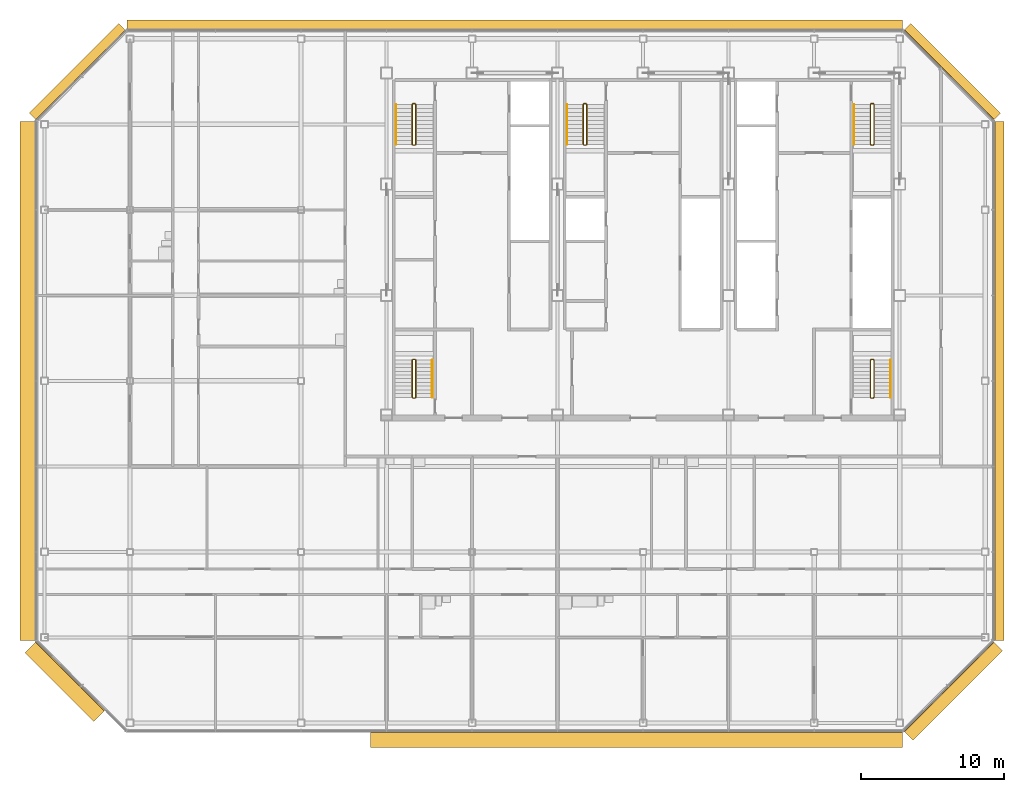
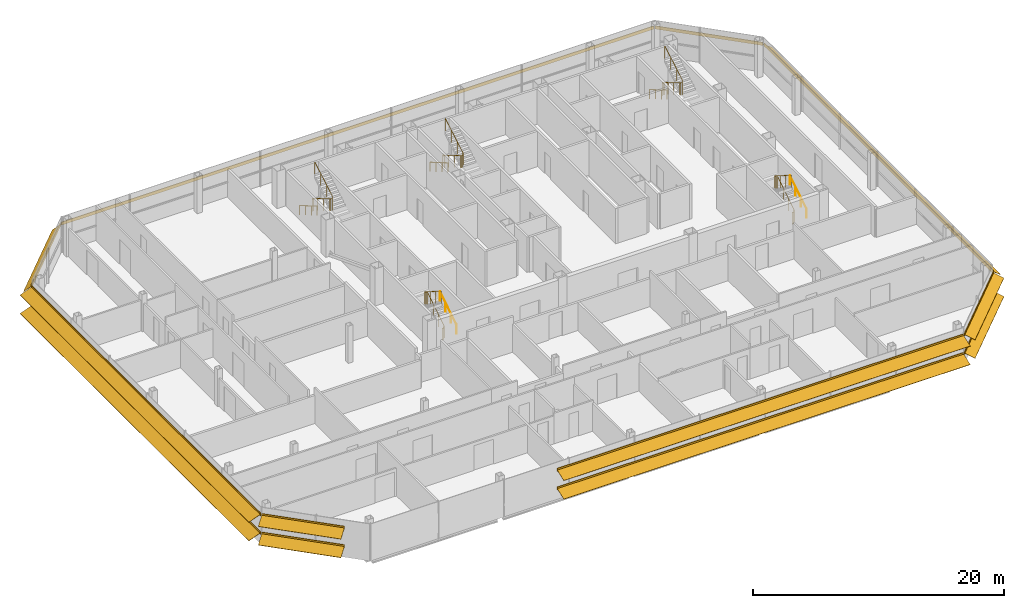
# One storey, part 26 of 27: 10 railings, 8 shading devices.
"""IFC4 building model written with IfcOpenShell, lengths in metres."""

from ifc_helpers import new_model, si_unit, direction, frame, origin, origin_2d, place, context, subcontext, project, spatial, polyline, circle, outline, composite_profile, extrude, material, type_object, element, save


model = new_model("IFC4")

# Units and contexts
model_context = context("Model", 3, precision=1e-05, world=origin(), true_north=direction((0.0, 1.0)))
body_context = subcontext(model_context, "Body", "Model", "MODEL_VIEW")
ifc_project = project(units=[si_unit("LENGTHUNIT", "METRE"), si_unit("AREAUNIT", "SQUARE_METRE"), si_unit("VOLUMEUNIT", "CUBIC_METRE"), si_unit("PLANEANGLEUNIT", "RADIAN"), si_unit("MASSUNIT", "GRAM", prefix="KILO")], contexts=[model_context])

# Site, building, storey
site_placement = place(None, origin())
site = spatial("IfcSite", under=ifc_project, at=site_placement, CompositionType="ELEMENT")
building_placement = place(site_placement, origin())
building = spatial("IfcBuilding", under=site, at=building_placement, Name="Sorahane Residences", CompositionType="ELEMENT")
storey_placement = place(building_placement, frame((0.0, 0.0, 323.199951171875)))
storey = spatial("IfcBuildingStorey", under=building, at=storey_placement, Name="L77", CompositionType="ELEMENT", Elevation=323.199951171875)

# Shading devices
ifc_material_1 = material(Name="Terracotta anodised aluminium", Category="masonry")
shading_device_type_1 = type_object("IfcShadingDeviceType", Name="Louvre sunshade blade E terracotta aluminium 700", PredefinedType="JALOUSIE", material=ifc_material_1)
shading_device_1_placement = place(storey_placement, frame((48.60009765625, 5.801513671875, 2.699951171875), z_axis=(0.0, 1.0, 0.0), x_axis=(-1.0, 0.0, 0.0)))
element("IfcShadingDevice", 1, at=shading_device_1_placement, inside=storey, type_object=shading_device_type_1, Name="Louvre sunshade blade bank E L77 E1", PredefinedType="JALOUSIE", context=body_context, shape_type="SweptSolid", body=[
    extrude(outline(polyline([(-0.719970703125, -0.49365234375), (-0.719970703125, -0.523681640625), (-0.080078125, -0.05859375), (-0.080078125, -0.14990234375), (-0.02001953125, -0.14990234375), (-0.02001953125, -0.014892578125), (-0.02001953125, 0.014892578125), (-0.02001953125, 0.14990234375), (-0.080078125, 0.14990234375), (-0.080078125, -0.028564453125), (-0.719970703125, -0.49365234375)])), origin(), (0.0, 0.0, 1.0), 36.39697265625),
])
ifc_material_2 = material(Name="Terracotta anodised aluminium", Category="masonry")
shading_device_type_2 = type_object("IfcShadingDeviceType", Name="Louvre sunshade blade N terracotta aluminium 700", PredefinedType="JALOUSIE", material=ifc_material_2)
shading_device_2_placement = place(storey_placement, frame((42.198486328125, 48.60009765625, 2.699951171875), z_axis=(-1.0, 0.0, 0.0), x_axis=(0.0, -1.0, 0.0)))
element("IfcShadingDevice", 2, at=shading_device_2_placement, inside=storey, type_object=shading_device_type_2, Name="Louvre sunshade blade bank N L77 N1", PredefinedType="JALOUSIE", context=body_context, shape_type="SweptSolid", body=[
    extrude(outline(polyline([(-0.719970703125, -0.660888671875), (-0.719970703125, -0.69091796875), (-0.080078125, -0.072998046875), (-0.080078125, -0.14990234375), (-0.02001953125, -0.14990234375), (-0.02001953125, -0.014892578125), (-0.02001953125, 0.014892578125), (-0.02001953125, 0.14990234375), (-0.080078125, 0.14990234375), (-0.080078125, -0.04296875), (-0.719970703125, -0.660888671875)])), origin(), (0.0, 0.0, 1.0), 54.39697265625),
])
ifc_material_3 = material(Name="Terracotta anodised aluminium", Category="masonry")
shading_device_type_3 = type_object("IfcShadingDeviceType", Name="Louvre sunshade blade NE terracotta aluminium 700", PredefinedType="JALOUSIE", material=ifc_material_3)
shading_device_3_placement = place(storey_placement, frame((48.564697265625, 42.283935546875, 2.699951171875), z_axis=(-0.707106781187, 0.707106781187, 0.0), x_axis=(-0.707106781187, -0.707106781187, 0.0)))
element("IfcShadingDevice", 3, at=shading_device_3_placement, inside=storey, type_object=shading_device_type_3, Name="Louvre sunshade blade bank NE L77 NE1", PredefinedType="JALOUSIE", context=body_context, shape_type="SweptSolid", body=[
    extrude(outline(polyline([(-0.719970703125, -0.572509765625), (-0.719970703125, -0.602294921875), (-0.080078125, -0.065185546875), (-0.080078125, -0.14990234375), (-0.02001953125, -0.14990234375), (-0.02001953125, -0.014892578125), (-0.02001953125, 0.014892578125), (-0.02001953125, 0.14990234375), (-0.080078125, 0.14990234375), (-0.080078125, -0.035400390625), (-0.719970703125, -0.572509765625)])), origin(), (0.0, 0.0, 1.0), 8.88232421875),
])
ifc_material_4 = material(Name="Terracotta anodised aluminium", Category="masonry")
shading_device_type_4 = type_object("IfcShadingDeviceType", Name="Louvre sunshade blade NW terracotta aluminium 700", PredefinedType="JALOUSIE", material=ifc_material_4)
shading_device_4_placement = place(storey_placement, frame((-12.283935546875, 48.564697265625, 2.699951171875), z_axis=(-0.707106781187, -0.707106781187, 0.0), x_axis=(0.707106781187, -0.707106781187, 0.0)))
element("IfcShadingDevice", 4, at=shading_device_4_placement, inside=storey, type_object=shading_device_type_4, Name="Louvre sunshade blade bank NW L77 NW1", PredefinedType="JALOUSIE", context=body_context, shape_type="SweptSolid", body=[
    extrude(outline(polyline([(-0.719970703125, -0.660888671875), (-0.719970703125, -0.69091796875), (-0.080078125, -0.072998046875), (-0.080078125, -0.14990234375), (-0.02001953125, -0.14990234375), (-0.02001953125, -0.014892578125), (-0.02001953125, 0.014892578125), (-0.02001953125, 0.14990234375), (-0.080078125, 0.14990234375), (-0.080078125, -0.04296875), (-0.719970703125, -0.660888671875)])), origin(), (0.0, 0.0, 1.0), 8.88232421875),
])
ifc_material_5 = material(Name="Terracotta anodised aluminium", Category="masonry")
shading_device_type_5 = type_object("IfcShadingDeviceType", Name="Louvre sunshade blade S terracotta aluminium 1100", PredefinedType="JALOUSIE", material=ifc_material_5)
shading_device_5_placement = place(storey_placement, frame((4.869384765625, -0.60009765625, 0.900146484375), z_axis=(1.0, 0.0, 0.0), x_axis=(0.0, 1.0, 0.0)))
element("IfcShadingDevice", 5, at=shading_device_5_placement, inside=storey, type_object=shading_device_type_5, Name="Louvre sunshade blade bank S L77 S1", PredefinedType="JALOUSIE", context=body_context, shape_type="SweptSolid", body=[
    extrude(composite_profile([outline(polyline([(-1.1201171875, -0.385498046875), (-1.1201171875, -0.415283203125), (-0.080078125, -0.036865234375), (-0.080078125, -0.14990234375), (-0.02001953125, -0.14990234375), (-0.02001953125, -0.014892578125), (-0.02001953125, 0.014892578125), (-0.02001953125, 0.14990234375), (-0.080078125, 0.14990234375), (-0.080078125, -0.0068359375), (-1.1201171875, -0.385498046875)])), outline(polyline([(-1.1201171875, 1.41455078125), (-1.1201171875, 1.384521484375), (-0.080078125, 1.76318359375), (-0.080078125, 1.64990234375), (-0.02001953125, 1.64990234375), (-0.02001953125, 1.784912109375), (-0.02001953125, 1.81494140625), (-0.02001953125, 1.949951171875), (-0.080078125, 1.949951171875), (-0.080078125, 1.793212890625), (-1.1201171875, 1.41455078125)]))]), origin(), (0.0, 0.0, 1.0), 37.3291015625),
])
ifc_material_6 = material(Name="Terracotta anodised aluminium", Category="masonry")
shading_device_type_6 = type_object("IfcShadingDeviceType", Name="Louvre sunshade blade SE terracotta aluminium 900", PredefinedType="JALOUSIE", material=ifc_material_6)
shading_device_6_placement = place(storey_placement, frame((42.283935546875, -0.564697265625, 0.900146484375), z_axis=(0.707106781187, 0.707106781187, 0.0), x_axis=(-0.707106781187, 0.707106781187, 0.0)))
element("IfcShadingDevice", 6, at=shading_device_6_placement, inside=storey, type_object=shading_device_type_6, Name="Louvre sunshade blade bank SE L77 SE1", PredefinedType="JALOUSIE", context=body_context, shape_type="SweptSolid", body=[
    extrude(composite_profile([outline(polyline([(-0.919921875, -0.3486328125), (-0.919921875, -0.378662109375), (-0.080078125, -0.039306640625), (-0.080078125, -0.14990234375), (-0.02001953125, -0.14990234375), (-0.02001953125, -0.014892578125), (-0.02001953125, 0.014892578125), (-0.02001953125, 0.14990234375), (-0.080078125, 0.14990234375), (-0.080078125, -0.00927734375), (-0.919921875, -0.3486328125)])), outline(polyline([(-0.919921875, 1.451416015625), (-0.919921875, 1.42138671875), (-0.080078125, 1.7607421875), (-0.080078125, 1.64990234375), (-0.02001953125, 1.64990234375), (-0.02001953125, 1.784912109375), (-0.02001953125, 1.81494140625), (-0.02001953125, 1.949951171875), (-0.080078125, 1.949951171875), (-0.080078125, 1.790771484375), (-0.919921875, 1.451416015625)]))]), origin(), (0.0, 0.0, 1.0), 8.88232421875),
])
ifc_material_7 = material(Name="Terracotta anodised aluminium", Category="masonry")
shading_device_type_7 = type_object("IfcShadingDeviceType", Name="Louvre sunshade blade SW terracotta aluminium 1100", PredefinedType="JALOUSIE", material=ifc_material_7)
shading_device_7_placement = place(storey_placement, frame((-18.564697265625, 5.716064453125, 0.900146484375), z_axis=(0.707106781187, -0.707106781187, 0.0), x_axis=(0.707106781187, 0.707106781187, 0.0)))
element("IfcShadingDevice", 7, at=shading_device_7_placement, inside=storey, type_object=shading_device_type_7, Name="Louvre sunshade blade bank SW L77 SW1", PredefinedType="JALOUSIE", context=body_context, shape_type="SweptSolid", body=[
    extrude(composite_profile([outline(polyline([(-1.1201171875, -0.385498046875), (-1.1201171875, -0.415283203125), (-0.080078125, -0.036865234375), (-0.080078125, -0.14990234375), (-0.02001953125, -0.14990234375), (-0.02001953125, -0.014892578125), (-0.02001953125, 0.014892578125), (-0.02001953125, 0.14990234375), (-0.080078125, 0.14990234375), (-0.080078125, -0.0068359375), (-1.1201171875, -0.385498046875)])), outline(polyline([(-1.1201171875, 1.41455078125), (-1.1201171875, 1.384521484375), (-0.080078125, 1.76318359375), (-0.080078125, 1.64990234375), (-0.02001953125, 1.64990234375), (-0.02001953125, 1.784912109375), (-0.02001953125, 1.81494140625), (-0.02001953125, 1.949951171875), (-0.080078125, 1.949951171875), (-0.080078125, 1.793212890625), (-1.1201171875, 1.41455078125)]))]), origin(), (0.0, 0.0, 1.0), 6.81103515625),
])
ifc_material_8 = material(Name="Terracotta anodised aluminium", Category="masonry")
shading_device_type_8 = type_object("IfcShadingDeviceType", Name="Louvre sunshade blade W terracotta aluminium 1100", PredefinedType="JALOUSIE", material=ifc_material_8)
shading_device_8_placement = place(storey_placement, frame((-18.60009765625, 42.198486328125, 0.900146484375), z_axis=(0.0, -1.0, 0.0), x_axis=(1.0, 0.0, 0.0)))
element("IfcShadingDevice", 8, at=shading_device_8_placement, inside=storey, type_object=shading_device_type_8, Name="Louvre sunshade blade bank W L77 W1", PredefinedType="JALOUSIE", context=body_context, shape_type="SweptSolid", body=[
    extrude(composite_profile([outline(polyline([(-1.1201171875, -0.385498046875), (-1.1201171875, -0.415283203125), (-0.080078125, -0.036865234375), (-0.080078125, -0.14990234375), (-0.02001953125, -0.14990234375), (-0.02001953125, -0.014892578125), (-0.02001953125, 0.014892578125), (-0.02001953125, 0.14990234375), (-0.080078125, 0.14990234375), (-0.080078125, -0.0068359375), (-1.1201171875, -0.385498046875)])), outline(polyline([(-1.1201171875, 1.41455078125), (-1.1201171875, 1.384521484375), (-0.080078125, 1.76318359375), (-0.080078125, 1.64990234375), (-0.02001953125, 1.64990234375), (-0.02001953125, 1.784912109375), (-0.02001953125, 1.81494140625), (-0.02001953125, 1.949951171875), (-0.080078125, 1.949951171875), (-0.080078125, 1.793212890625), (-1.1201171875, 1.41455078125)]))]), origin(), (0.0, 0.0, 1.0), 36.39697265625),
])

# Railings
ifc_material_9 = material(Name="Steel Q355B", Category="steel")
railing_type_1 = type_object("IfcRailingType", Name="Stair guard 1200 Steel Q355B", PredefinedType="GUARDRAIL", material=ifc_material_9)
railing_1_placement = place(storey_placement, frame((8.0, 43.449951171875, 0.0)))
element("IfcRailing", 9, at=railing_1_placement, inside=storey, type_object=railing_type_1, Name="L77 S1 stair guard 1", PredefinedType="GUARDRAIL", context=body_context, shape_type="SweptSolid", body=[
    extrude(circle(Radius=0.02392578125, at=origin_2d()), frame((0.0, 0.0, 1.17578125), z_axis=(-1.0, 0.0, 0.0), x_axis=(0.0, -1.0, 0.0)), (0.0, 0.0, 1.0), 0.14990234375),
    extrude(circle(Radius=0.02392578125, at=origin_2d()), frame((-0.14990234375, 0.0, 1.17578125), z_axis=(-0.280808744504, -0.280808744504, 0.917765164963), x_axis=(0.707106781187, -0.707106781187, 0.0)), (0.0, 0.0, 1.0), 0.17822265625),
    extrude(circle(Radius=0.02392578125, at=origin_2d()), frame((-0.199951171875, -0.050048828125, 1.33935546875), z_axis=(0.0, -0.863341702679, 0.504619762213), x_axis=(1.0, 0.0, 0.0)), (0.0, 0.0, 1.0), 3.242919921875),
    extrude(circle(Radius=0.02392578125, at=origin_2d()), frame((-0.199951171875, -2.849853515625, 2.97607421875), z_axis=(0.707106781187, -0.707106781187, 0.0), x_axis=(0.707106781187, 0.707106781187, 0.0)), (0.0, 0.0, 1.0), 0.07080078125),
    extrude(circle(Radius=0.02392578125, at=origin_2d()), frame((-0.14990234375, -2.89990234375, 2.97607421875), z_axis=(1.0, 0.0, 0.0), x_axis=(0.0, 1.0, 0.0)), (0.0, 0.0, 1.0), 0.14990234375),
    extrude(circle(Radius=0.02392578125, at=origin_2d()), frame((0.0, -2.89990234375, 2.97607421875), z_axis=(0.280808744504, 0.280808744504, 0.917765164963), x_axis=(-0.707106781187, 0.707106781187, 0.0)), (0.0, 0.0, 1.0), 0.17822265625),
    extrude(circle(Radius=0.02392578125, at=origin_2d()), frame((0.050048828125, -2.849853515625, 3.1396484375), z_axis=(0.0, 0.863341702679, 0.504619762213), x_axis=(-1.0, 0.0, 0.0)), (0.0, 0.0, 1.0), 3.242919921875),
    extrude(circle(Radius=0.02099609375, at=origin_2d()), origin(), (0.0, 0.0, 1.0), 1.15185546875),
    extrude(circle(Radius=0.02099609375, at=origin_2d()), frame((-0.14990234375, 0.0, 0.0)), (0.0, 0.0, 1.0), 1.15185546875),
    extrude(circle(Radius=0.02099609375, at=origin_2d()), frame((-0.199951171875, -0.050048828125, 0.16357421875)), (0.0, 0.0, 1.0), 1.15185546875),
    extrude(circle(Radius=0.02099609375, at=origin_2d()), frame((-0.199951171875, -0.9833984375, 0.708984375)), (0.0, 0.0, 1.0), 1.15185546875),
    extrude(circle(Radius=0.02099609375, at=origin_2d()), frame((-0.199951171875, -1.91650390625, 1.254638671875)), (0.0, 0.0, 1.0), 1.15185546875),
    extrude(circle(Radius=0.02099609375, at=origin_2d()), frame((-0.199951171875, -2.849853515625, 1.800048828125)), (0.0, 0.0, 1.0), 1.15185546875),
    extrude(circle(Radius=0.02099609375, at=origin_2d()), frame((-0.14990234375, -2.89990234375, 1.800048828125)), (0.0, 0.0, 1.0), 1.15185546875),
    extrude(circle(Radius=0.02099609375, at=origin_2d()), frame((0.0, -2.89990234375, 1.800048828125)), (0.0, 0.0, 1.0), 1.15185546875),
    extrude(circle(Radius=0.02099609375, at=origin_2d()), frame((0.050048828125, -2.849853515625, 1.963623046875)), (0.0, 0.0, 1.0), 1.15185546875),
    extrude(circle(Radius=0.02099609375, at=origin_2d()), frame((0.050048828125, -1.91650390625, 2.509033203125)), (0.0, 0.0, 1.0), 1.15185546875),
    extrude(circle(Radius=0.02099609375, at=origin_2d()), frame((0.050048828125, -0.9833984375, 3.0546875)), (0.0, 0.0, 1.0), 1.15185546875),
    extrude(circle(Radius=0.02099609375, at=origin_2d()), frame((0.050048828125, -0.050048828125, 3.60009765625)), (0.0, 0.0, 1.0), 1.15185546875),
])
railing_2_placement = place(storey_placement, frame((40.14990234375, 43.449951171875, 0.0)))
element("IfcRailing", 10, at=railing_2_placement, inside=storey, type_object=railing_type_1, Name="L77 S2 stair guard 1", PredefinedType="GUARDRAIL", context=body_context, shape_type="SweptSolid", body=[
    extrude(circle(Radius=0.02392578125, at=origin_2d()), frame((0.0, 0.0, 1.17578125), z_axis=(-1.0, 0.0, 0.0), x_axis=(0.0, -1.0, 0.0)), (0.0, 0.0, 1.0), 0.14990234375),
    extrude(circle(Radius=0.02392578125, at=origin_2d()), frame((-0.14990234375, 0.0, 1.17578125), z_axis=(-0.280808744504, -0.280808744504, 0.917765164963), x_axis=(0.707106781187, -0.707106781187, 0.0)), (0.0, 0.0, 1.0), 0.17822265625),
    extrude(circle(Radius=0.02392578125, at=origin_2d()), frame((-0.199951171875, -0.050048828125, 1.33935546875), z_axis=(0.0, -0.863341702679, 0.504619762213), x_axis=(1.0, 0.0, 0.0)), (0.0, 0.0, 1.0), 3.242919921875),
    extrude(circle(Radius=0.02392578125, at=origin_2d()), frame((-0.199951171875, -2.849853515625, 2.97607421875), z_axis=(0.707106781187, -0.707106781187, 0.0), x_axis=(0.707106781187, 0.707106781187, 0.0)), (0.0, 0.0, 1.0), 0.07080078125),
    extrude(circle(Radius=0.02392578125, at=origin_2d()), frame((-0.14990234375, -2.89990234375, 2.97607421875), z_axis=(1.0, 0.0, 0.0), x_axis=(0.0, 1.0, 0.0)), (0.0, 0.0, 1.0), 0.14990234375),
    extrude(circle(Radius=0.02392578125, at=origin_2d()), frame((0.0, -2.89990234375, 2.97607421875), z_axis=(0.280808744504, 0.280808744504, 0.917765164963), x_axis=(-0.707106781187, 0.707106781187, 0.0)), (0.0, 0.0, 1.0), 0.17822265625),
    extrude(circle(Radius=0.02392578125, at=origin_2d()), frame((0.050048828125, -2.849853515625, 3.1396484375), z_axis=(0.0, 0.863341702679, 0.504619762213), x_axis=(-1.0, 0.0, 0.0)), (0.0, 0.0, 1.0), 3.242919921875),
    extrude(circle(Radius=0.02099609375, at=origin_2d()), origin(), (0.0, 0.0, 1.0), 1.15185546875),
    extrude(circle(Radius=0.02099609375, at=origin_2d()), frame((-0.14990234375, 0.0, 0.0)), (0.0, 0.0, 1.0), 1.15185546875),
    extrude(circle(Radius=0.02099609375, at=origin_2d()), frame((-0.199951171875, -0.050048828125, 0.16357421875)), (0.0, 0.0, 1.0), 1.15185546875),
    extrude(circle(Radius=0.02099609375, at=origin_2d()), frame((-0.199951171875, -0.9833984375, 0.708984375)), (0.0, 0.0, 1.0), 1.15185546875),
    extrude(circle(Radius=0.02099609375, at=origin_2d()), frame((-0.199951171875, -1.91650390625, 1.254638671875)), (0.0, 0.0, 1.0), 1.15185546875),
    extrude(circle(Radius=0.02099609375, at=origin_2d()), frame((-0.199951171875, -2.849853515625, 1.800048828125)), (0.0, 0.0, 1.0), 1.15185546875),
    extrude(circle(Radius=0.02099609375, at=origin_2d()), frame((-0.14990234375, -2.89990234375, 1.800048828125)), (0.0, 0.0, 1.0), 1.15185546875),
    extrude(circle(Radius=0.02099609375, at=origin_2d()), frame((0.0, -2.89990234375, 1.800048828125)), (0.0, 0.0, 1.0), 1.15185546875),
    extrude(circle(Radius=0.02099609375, at=origin_2d()), frame((0.050048828125, -2.849853515625, 1.963623046875)), (0.0, 0.0, 1.0), 1.15185546875),
    extrude(circle(Radius=0.02099609375, at=origin_2d()), frame((0.050048828125, -1.91650390625, 2.509033203125)), (0.0, 0.0, 1.0), 1.15185546875),
    extrude(circle(Radius=0.02099609375, at=origin_2d()), frame((0.050048828125, -0.9833984375, 3.0546875)), (0.0, 0.0, 1.0), 1.15185546875),
    extrude(circle(Radius=0.02099609375, at=origin_2d()), frame((0.050048828125, -0.050048828125, 3.60009765625)), (0.0, 0.0, 1.0), 1.15185546875),
])
railing_3_placement = place(storey_placement, frame((20.0, 43.449951171875, 0.0)))
element("IfcRailing", 11, at=railing_3_placement, inside=storey, type_object=railing_type_1, Name="L77 S3 stair guard 1", PredefinedType="GUARDRAIL", context=body_context, shape_type="SweptSolid", body=[
    extrude(circle(Radius=0.02392578125, at=origin_2d()), frame((0.0, 0.0, 1.17578125), z_axis=(-1.0, 0.0, 0.0), x_axis=(0.0, -1.0, 0.0)), (0.0, 0.0, 1.0), 0.14990234375),
    extrude(circle(Radius=0.02392578125, at=origin_2d()), frame((-0.14990234375, 0.0, 1.17578125), z_axis=(-0.280808744504, -0.280808744504, 0.917765164963), x_axis=(0.707106781187, -0.707106781187, 0.0)), (0.0, 0.0, 1.0), 0.17822265625),
    extrude(circle(Radius=0.02392578125, at=origin_2d()), frame((-0.199951171875, -0.050048828125, 1.33935546875), z_axis=(0.0, -0.863341702679, 0.504619762213), x_axis=(1.0, 0.0, 0.0)), (0.0, 0.0, 1.0), 3.242919921875),
    extrude(circle(Radius=0.02392578125, at=origin_2d()), frame((-0.199951171875, -2.849853515625, 2.97607421875), z_axis=(0.707106781187, -0.707106781187, 0.0), x_axis=(0.707106781187, 0.707106781187, 0.0)), (0.0, 0.0, 1.0), 0.07080078125),
    extrude(circle(Radius=0.02392578125, at=origin_2d()), frame((-0.14990234375, -2.89990234375, 2.97607421875), z_axis=(1.0, 0.0, 0.0), x_axis=(0.0, 1.0, 0.0)), (0.0, 0.0, 1.0), 0.14990234375),
    extrude(circle(Radius=0.02392578125, at=origin_2d()), frame((0.0, -2.89990234375, 2.97607421875), z_axis=(0.280808744504, 0.280808744504, 0.917765164963), x_axis=(-0.707106781187, 0.707106781187, 0.0)), (0.0, 0.0, 1.0), 0.17822265625),
    extrude(circle(Radius=0.02392578125, at=origin_2d()), frame((0.050048828125, -2.849853515625, 3.1396484375), z_axis=(0.0, 0.863341702679, 0.504619762213), x_axis=(-1.0, 0.0, 0.0)), (0.0, 0.0, 1.0), 3.242919921875),
    extrude(circle(Radius=0.02099609375, at=origin_2d()), origin(), (0.0, 0.0, 1.0), 1.15185546875),
    extrude(circle(Radius=0.02099609375, at=origin_2d()), frame((-0.14990234375, 0.0, 0.0)), (0.0, 0.0, 1.0), 1.15185546875),
    extrude(circle(Radius=0.02099609375, at=origin_2d()), frame((-0.199951171875, -0.050048828125, 0.16357421875)), (0.0, 0.0, 1.0), 1.15185546875),
    extrude(circle(Radius=0.02099609375, at=origin_2d()), frame((-0.199951171875, -0.9833984375, 0.708984375)), (0.0, 0.0, 1.0), 1.15185546875),
    extrude(circle(Radius=0.02099609375, at=origin_2d()), frame((-0.199951171875, -1.91650390625, 1.254638671875)), (0.0, 0.0, 1.0), 1.15185546875),
    extrude(circle(Radius=0.02099609375, at=origin_2d()), frame((-0.199951171875, -2.849853515625, 1.800048828125)), (0.0, 0.0, 1.0), 1.15185546875),
    extrude(circle(Radius=0.02099609375, at=origin_2d()), frame((-0.14990234375, -2.89990234375, 1.800048828125)), (0.0, 0.0, 1.0), 1.15185546875),
    extrude(circle(Radius=0.02099609375, at=origin_2d()), frame((0.0, -2.89990234375, 1.800048828125)), (0.0, 0.0, 1.0), 1.15185546875),
    extrude(circle(Radius=0.02099609375, at=origin_2d()), frame((0.050048828125, -2.849853515625, 1.963623046875)), (0.0, 0.0, 1.0), 1.15185546875),
    extrude(circle(Radius=0.02099609375, at=origin_2d()), frame((0.050048828125, -1.91650390625, 2.509033203125)), (0.0, 0.0, 1.0), 1.15185546875),
    extrude(circle(Radius=0.02099609375, at=origin_2d()), frame((0.050048828125, -0.9833984375, 3.0546875)), (0.0, 0.0, 1.0), 1.15185546875),
    extrude(circle(Radius=0.02099609375, at=origin_2d()), frame((0.050048828125, -0.050048828125, 3.60009765625)), (0.0, 0.0, 1.0), 1.15185546875),
])
railing_4_placement = place(storey_placement, frame((7.85009765625, 22.800048828125, 0.0)))
element("IfcRailing", 12, at=railing_4_placement, inside=storey, type_object=railing_type_1, Name="L77 S4 stair guard 1", PredefinedType="GUARDRAIL", context=body_context, shape_type="SweptSolid", body=[
    extrude(circle(Radius=0.02392578125, at=origin_2d()), frame((0.0, 0.0, 1.17578125), z_axis=(1.0, 0.0, 0.0), x_axis=(0.0, 1.0, 0.0)), (0.0, 0.0, 1.0), 0.14990234375),
    extrude(circle(Radius=0.02392578125, at=origin_2d()), frame((0.14990234375, 0.0, 1.17578125), z_axis=(0.280808744504, 0.280808744504, 0.917765164963), x_axis=(-0.707106781187, 0.707106781187, 0.0)), (0.0, 0.0, 1.0), 0.17822265625),
    extrude(circle(Radius=0.02392578125, at=origin_2d()), frame((0.199951171875, 0.050048828125, 1.33935546875), z_axis=(0.0, 0.846301844409, 0.532703658848), x_axis=(-1.0, 0.0, 0.0)), (0.0, 0.0, 1.0), 3.072021484375),
    extrude(circle(Radius=0.02392578125, at=origin_2d()), frame((0.199951171875, 2.64990234375, 2.97607421875), z_axis=(-0.707106781187, 0.707106781187, 0.0), x_axis=(-0.707106781187, -0.707106781187, 0.0)), (0.0, 0.0, 1.0), 0.07080078125),
    extrude(circle(Radius=0.02392578125, at=origin_2d()), frame((0.14990234375, 2.699951171875, 2.97607421875), z_axis=(-1.0, 0.0, 0.0), x_axis=(0.0, -1.0, 0.0)), (0.0, 0.0, 1.0), 0.14990234375),
    extrude(circle(Radius=0.02392578125, at=origin_2d()), frame((0.0, 2.699951171875, 2.97607421875), z_axis=(-0.280808744504, -0.280808744504, 0.917765164963), x_axis=(0.707106781187, -0.707106781187, 0.0)), (0.0, 0.0, 1.0), 0.17822265625),
    extrude(circle(Radius=0.02392578125, at=origin_2d()), frame((-0.050048828125, 2.64990234375, 3.1396484375), z_axis=(0.0, -0.846301844409, 0.532703658848), x_axis=(1.0, 0.0, 0.0)), (0.0, 0.0, 1.0), 3.072021484375),
    extrude(circle(Radius=0.02099609375, at=origin_2d()), origin(), (0.0, 0.0, 1.0), 1.15185546875),
    extrude(circle(Radius=0.02099609375, at=origin_2d()), frame((0.14990234375, 0.0, 0.0)), (0.0, 0.0, 1.0), 1.15185546875),
    extrude(circle(Radius=0.02099609375, at=origin_2d()), frame((0.199951171875, 0.050048828125, 0.16357421875)), (0.0, 0.0, 1.0), 1.15185546875),
    extrude(circle(Radius=0.02099609375, at=origin_2d()), frame((0.199951171875, 0.916748046875, 0.708984375)), (0.0, 0.0, 1.0), 1.15185546875),
    extrude(circle(Radius=0.02099609375, at=origin_2d()), frame((0.199951171875, 1.783203125, 1.254638671875)), (0.0, 0.0, 1.0), 1.15185546875),
    extrude(circle(Radius=0.02099609375, at=origin_2d()), frame((0.199951171875, 2.64990234375, 1.800048828125)), (0.0, 0.0, 1.0), 1.15185546875),
    extrude(circle(Radius=0.02099609375, at=origin_2d()), frame((0.14990234375, 2.699951171875, 1.800048828125)), (0.0, 0.0, 1.0), 1.15185546875),
    extrude(circle(Radius=0.02099609375, at=origin_2d()), frame((0.0, 2.699951171875, 1.800048828125)), (0.0, 0.0, 1.0), 1.15185546875),
    extrude(circle(Radius=0.02099609375, at=origin_2d()), frame((-0.050048828125, 2.64990234375, 1.963623046875)), (0.0, 0.0, 1.0), 1.15185546875),
    extrude(circle(Radius=0.02099609375, at=origin_2d()), frame((-0.050048828125, 1.783203125, 2.509033203125)), (0.0, 0.0, 1.0), 1.15185546875),
    extrude(circle(Radius=0.02099609375, at=origin_2d()), frame((-0.050048828125, 0.916748046875, 3.0546875)), (0.0, 0.0, 1.0), 1.15185546875),
    extrude(circle(Radius=0.02099609375, at=origin_2d()), frame((-0.050048828125, 0.050048828125, 3.60009765625)), (0.0, 0.0, 1.0), 1.15185546875),
])
railing_5_placement = place(storey_placement, frame((40.0, 22.800048828125, 0.0)))
element("IfcRailing", 13, at=railing_5_placement, inside=storey, type_object=railing_type_1, Name="L77 S5 stair guard 1", PredefinedType="GUARDRAIL", context=body_context, shape_type="SweptSolid", body=[
    extrude(circle(Radius=0.02392578125, at=origin_2d()), frame((0.0, 0.0, 1.17578125), z_axis=(1.0, 0.0, 0.0), x_axis=(0.0, 1.0, 0.0)), (0.0, 0.0, 1.0), 0.14990234375),
    extrude(circle(Radius=0.02392578125, at=origin_2d()), frame((0.14990234375, 0.0, 1.17578125), z_axis=(0.280808744504, 0.280808744504, 0.917765164963), x_axis=(-0.707106781187, 0.707106781187, 0.0)), (0.0, 0.0, 1.0), 0.17822265625),
    extrude(circle(Radius=0.02392578125, at=origin_2d()), frame((0.199951171875, 0.050048828125, 1.33935546875), z_axis=(0.0, 0.846301844409, 0.532703658848), x_axis=(-1.0, 0.0, 0.0)), (0.0, 0.0, 1.0), 3.072021484375),
    extrude(circle(Radius=0.02392578125, at=origin_2d()), frame((0.199951171875, 2.64990234375, 2.97607421875), z_axis=(-0.707106781187, 0.707106781187, 0.0), x_axis=(-0.707106781187, -0.707106781187, 0.0)), (0.0, 0.0, 1.0), 0.07080078125),
    extrude(circle(Radius=0.02392578125, at=origin_2d()), frame((0.14990234375, 2.699951171875, 2.97607421875), z_axis=(-1.0, 0.0, 0.0), x_axis=(0.0, -1.0, 0.0)), (0.0, 0.0, 1.0), 0.14990234375),
    extrude(circle(Radius=0.02392578125, at=origin_2d()), frame((0.0, 2.699951171875, 2.97607421875), z_axis=(-0.280808744504, -0.280808744504, 0.917765164963), x_axis=(0.707106781187, -0.707106781187, 0.0)), (0.0, 0.0, 1.0), 0.17822265625),
    extrude(circle(Radius=0.02392578125, at=origin_2d()), frame((-0.050048828125, 2.64990234375, 3.1396484375), z_axis=(0.0, -0.846301844409, 0.532703658848), x_axis=(1.0, 0.0, 0.0)), (0.0, 0.0, 1.0), 3.072021484375),
    extrude(circle(Radius=0.02099609375, at=origin_2d()), origin(), (0.0, 0.0, 1.0), 1.15185546875),
    extrude(circle(Radius=0.02099609375, at=origin_2d()), frame((0.14990234375, 0.0, 0.0)), (0.0, 0.0, 1.0), 1.15185546875),
    extrude(circle(Radius=0.02099609375, at=origin_2d()), frame((0.199951171875, 0.050048828125, 0.16357421875)), (0.0, 0.0, 1.0), 1.15185546875),
    extrude(circle(Radius=0.02099609375, at=origin_2d()), frame((0.199951171875, 0.916748046875, 0.708984375)), (0.0, 0.0, 1.0), 1.15185546875),
    extrude(circle(Radius=0.02099609375, at=origin_2d()), frame((0.199951171875, 1.783203125, 1.254638671875)), (0.0, 0.0, 1.0), 1.15185546875),
    extrude(circle(Radius=0.02099609375, at=origin_2d()), frame((0.199951171875, 2.64990234375, 1.800048828125)), (0.0, 0.0, 1.0), 1.15185546875),
    extrude(circle(Radius=0.02099609375, at=origin_2d()), frame((0.14990234375, 2.699951171875, 1.800048828125)), (0.0, 0.0, 1.0), 1.15185546875),
    extrude(circle(Radius=0.02099609375, at=origin_2d()), frame((0.0, 2.699951171875, 1.800048828125)), (0.0, 0.0, 1.0), 1.15185546875),
    extrude(circle(Radius=0.02099609375, at=origin_2d()), frame((-0.050048828125, 2.64990234375, 1.963623046875)), (0.0, 0.0, 1.0), 1.15185546875),
    extrude(circle(Radius=0.02099609375, at=origin_2d()), frame((-0.050048828125, 1.783203125, 2.509033203125)), (0.0, 0.0, 1.0), 1.15185546875),
    extrude(circle(Radius=0.02099609375, at=origin_2d()), frame((-0.050048828125, 0.916748046875, 3.0546875)), (0.0, 0.0, 1.0), 1.15185546875),
    extrude(circle(Radius=0.02099609375, at=origin_2d()), frame((-0.050048828125, 0.050048828125, 3.60009765625)), (0.0, 0.0, 1.0), 1.15185546875),
])
ifc_material_10 = material(Name="Steel Q355B", Category="steel")
railing_type_2 = type_object("IfcRailingType", Name="Stair handrail 900 Steel Q355B", PredefinedType="HANDRAIL", material=ifc_material_10)
for number, where, name in (
    (14, (6.64990234375, 43.39990234375, 0.16357421875), "L77 S1 stair handrail 1"),
    (15, (38.800048828125, 43.39990234375, 0.16357421875), "L77 S2 stair handrail 1"),
    (16, (18.64990234375, 43.39990234375, 0.16357421875), "L77 S3 stair handrail 1"),
):
    element("IfcRailing", number, at=place(storey_placement, frame(where)), inside=storey, type_object=railing_type_2, Name=name, PredefinedType="HANDRAIL", context=body_context, shape_type="SweptSolid", body=[
        extrude(circle(Radius=0.02392578125, at=origin_2d()), frame((0.0, 0.0, 0.8759765625), z_axis=(0.0, -0.863341702679, 0.504619762213), x_axis=(1.0, 0.0, 0.0)), (0.0, 0.0, 1.0), 3.242919921875),
        extrude(circle(Radius=0.02099609375, at=origin_2d()), origin(), (0.0, 0.0, 1.0), 0.851806640625),
        extrude(circle(Radius=0.02099609375, at=origin_2d()), frame((0.0, -0.933349609375, 0.54541015625)), (0.0, 0.0, 1.0), 0.851806640625),
        extrude(circle(Radius=0.02099609375, at=origin_2d()), frame((0.0, -1.866455078125, 1.091064453125)), (0.0, 0.0, 1.0), 0.851806640625),
        extrude(circle(Radius=0.02099609375, at=origin_2d()), frame((0.0, -2.7998046875, 1.636474609375)), (0.0, 0.0, 1.0), 0.851806640625),
    ])
for number, where, name in (
    (17, (9.199951171875, 22.85009765625, 0.16357421875), "L77 S4 stair handrail 1"),
    (18, (41.35009765625, 22.85009765625, 0.16357421875), "L77 S5 stair handrail 1"),
):
    element("IfcRailing", number, at=place(storey_placement, frame(where)), inside=storey, type_object=railing_type_2, Name=name, PredefinedType="HANDRAIL", context=body_context, shape_type="SweptSolid", body=[
        extrude(circle(Radius=0.02392578125, at=origin_2d()), frame((0.0, 0.0, 0.8759765625), z_axis=(0.0, 0.846301844409, 0.532703658848), x_axis=(-1.0, 0.0, 0.0)), (0.0, 0.0, 1.0), 3.072021484375),
        extrude(circle(Radius=0.02099609375, at=origin_2d()), origin(), (0.0, 0.0, 1.0), 0.851806640625),
        extrude(circle(Radius=0.02099609375, at=origin_2d()), frame((0.0, 0.86669921875, 0.54541015625)), (0.0, 0.0, 1.0), 0.851806640625),
        extrude(circle(Radius=0.02099609375, at=origin_2d()), frame((0.0, 1.733154296875, 1.091064453125)), (0.0, 0.0, 1.0), 0.851806640625),
        extrude(circle(Radius=0.02099609375, at=origin_2d()), frame((0.0, 2.599853515625, 1.636474609375)), (0.0, 0.0, 1.0), 0.851806640625),
    ])

save(model, "model.ifc")
